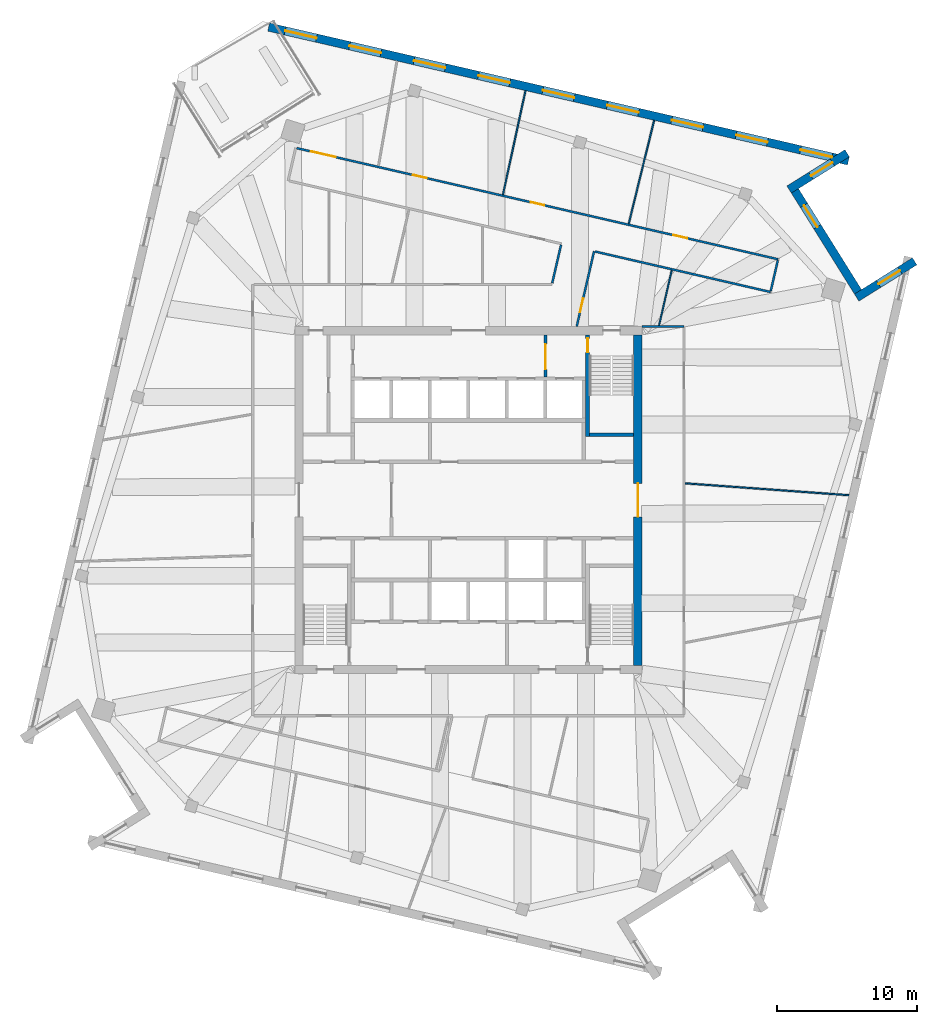
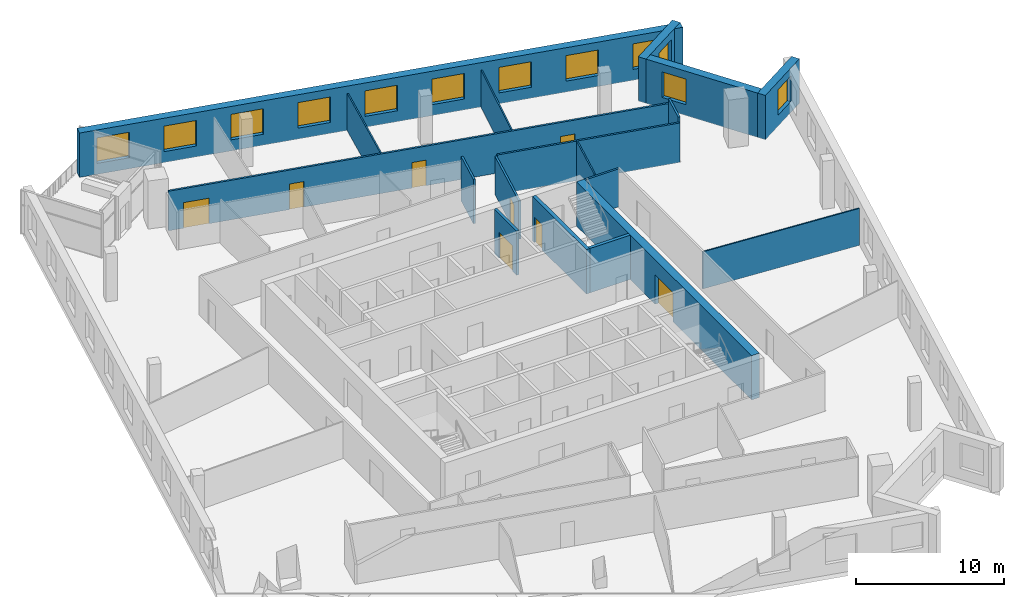
# One storey, part 10 of 14: 18 walls, 12 windows, 8 doors, 20 openings.
"""IFC4 building model written with IfcOpenShell, lengths in metres."""

from ifc_helpers import new_model, si_unit, direction, frame, frame_2d, origin, place, context, subcontext, project, spatial, rectangle, extrude, material, layer, layer_set, type_object, element, fill, save


model = new_model("IFC4")

# Units and contexts
model_context = context("Model", 3, precision=1e-05, world=origin(), true_north=direction((0.0, 1.0)))
body_context = subcontext(model_context, "Body", "Model", "MODEL_VIEW")
ifc_project = project(units=[si_unit("LENGTHUNIT", "METRE"), si_unit("AREAUNIT", "SQUARE_METRE"), si_unit("VOLUMEUNIT", "CUBIC_METRE"), si_unit("PLANEANGLEUNIT", "RADIAN"), si_unit("MASSUNIT", "GRAM", prefix="KILO")], contexts=[model_context])

# Site, building, storey
site_placement = place(None, origin())
site = spatial("IfcSite", under=ifc_project, at=site_placement, CompositionType="ELEMENT")
building_placement = place(site_placement, origin())
building = spatial("IfcBuilding", under=site, at=building_placement, Name="Dilmun Exchange Tower", CompositionType="ELEMENT")
storey_placement = place(building_placement, frame((0.0, 0.0, 336.5)))
storey = spatial("IfcBuildingStorey", under=building, at=storey_placement, Name="L80", CompositionType="ELEMENT", Elevation=336.5)

# Wall, opening, door
ifc_material_1 = material(Name="Concrete C40/50", Category="concrete")
ifc_layer_1 = layer(ifc_material_1, 0.199951171875)
ifc_layer_set_1 = layer_set([ifc_layer_1], Name="Concrete C40/50")
wall_type_1 = type_object("IfcWallType", Name="Core partition wall 200", PredefinedType="PARTITIONING", material=ifc_layer_set_1)
wall_1_placement = place(storey_placement, frame((5.5, 8.804931640625, 0.0), z_axis=(0.0, 0.0, 1.0), x_axis=(0.0, 1.0, 0.0)))
wall_1 = element("IfcWall", 1, at=wall_1_placement, inside=storey, type_object=wall_type_1, Name="L80 core partition wall 20", PredefinedType="PARTITIONING", context=body_context, shape_type="SweptSolid", body=[
    extrude(rectangle(XDim=2.989990234375, YDim=0.199951171875, at=frame_2d((1.4951171875, 0.0))), origin(), (0.0, 0.0, 1.0), 3.64990234375),
])
opening_1_placement = place(wall_1_placement, frame((0.532470703125, 0.0, 0.0)))
opening_1 = element("IfcOpeningElement", 2, at=opening_1_placement, cuts=wall_1, Name="Opening CD5", PredefinedType="OPENING", context=body_context, shape_type="SweptSolid", body=[
    extrude(rectangle(XDim=1.800048828125, YDim=2.10009765625, at=frame_2d((0.89990234375, 1.050048828125))), frame((0.0, 0.10986328125, 0.0), z_axis=(0.0, -1.0, 0.0), x_axis=(1.0, 0.0, 0.0)), (0.0, 0.0, 1.0), 0.219970703125),
])
ifc_material_2 = material(Name="Fire-rated steel door set", Category="steel")
door_type_1 = type_object("IfcDoorType", Name="Stair exit door 1800x2100", OperationType="SINGLE_SWING_LEFT", PredefinedType="DOOR", material=ifc_material_2)
door_1_placement = place(opening_1_placement, origin())
door_1 = element("IfcDoor", 3, at=door_1_placement, inside=storey, type_object=door_type_1, Name="L80 door Lift lobby east", OperationType="SINGLE_SWING_LEFT", OverallHeight=2.10009765625, OverallWidth=1.800048828125, PredefinedType="DOOR", context=body_context, shape_type="SweptSolid", body=[
    extrude(rectangle(XDim=1.800048828125, YDim=2.10009765625, at=frame_2d((0.89990234375, 1.050048828125))), frame((0.0, 0.02490234375, 0.0), z_axis=(0.0, -1.0, 0.0), x_axis=(1.0, 0.0, 0.0)), (0.0, 0.0, 1.0), 0.050048828125),
])
fill(opening_1, door_1)

ifc_material_3 = material(Name="Concrete C50/60", Category="concrete")
ifc_layer_2 = layer(ifc_material_3, 0.60009765625)
ifc_layer_set_2 = layer_set([ifc_layer_2], Name="Concrete C50/60")
wall_type_2 = type_object("IfcWallType", Name="Core shear wall 600 Concrete C50/60", PredefinedType="SHEAR", material=ifc_layer_set_2)
wall_2_placement = place(storey_placement, frame((12.10009765625, -11.800048828125, 0.0), z_axis=(0.0, 0.0, 1.0), x_axis=(0.0, 1.0, 0.0)))
wall_2 = element("IfcWall", 4, at=wall_2_placement, inside=storey, type_object=wall_type_2, Name="L80 core shear wall E", PredefinedType="SHEAR", context=body_context, shape_type="SweptSolid", body=[
    extrude(rectangle(XDim=23.60009765625, YDim=0.60009765625, at=frame_2d((11.800048828125, 0.0))), origin(), (0.0, 0.0, 1.0), 3.64990234375),
])
opening_2_placement = place(wall_2_placement, frame((10.60009765625, 0.0, 0.0)))
opening_2 = element("IfcOpeningElement", 5, at=opening_2_placement, cuts=wall_2, Name="Opening CD1", PredefinedType="OPENING", context=body_context, shape_type="SweptSolid", body=[
    extrude(rectangle(XDim=2.39990234375, YDim=2.39990234375, at=frame_2d((1.199951171875, 1.199951171875))), frame((0.0, 0.31005859375, 0.0), z_axis=(0.0, -1.0, 0.0), x_axis=(1.0, 0.0, 0.0)), (0.0, 0.0, 1.0), 0.6201171875),
])
door_type_2 = type_object("IfcDoorType", Name="Core lobby door 2400x2400", OperationType="DOUBLE_DOOR_DOUBLE_SWING", PredefinedType="DOOR", material=ifc_material_2)
door_2_placement = place(opening_2_placement, origin())
door_2 = element("IfcDoor", 6, at=door_2_placement, inside=storey, type_object=door_type_2, Name="L80 door Central lift lobby", OperationType="SINGLE_SWING_LEFT", OverallHeight=2.39990234375, OverallWidth=2.39990234375, PredefinedType="DOOR", context=body_context, shape_type="SweptSolid", body=[
    extrude(rectangle(XDim=2.39990234375, YDim=2.39990234375, at=frame_2d((1.199951171875, 1.199951171875))), frame((0.0, 0.02490234375, 0.0), z_axis=(0.0, -1.0, 0.0), x_axis=(1.0, 0.0, 0.0)), (0.0, 0.0, 1.0), 0.050048828125),
])
fill(opening_2, door_2)

# Wall, openings, doors
ifc_material_4 = material(Name="Corridor wall 150")
ifc_layer_3 = layer(ifc_material_4, 0.14990234375)
ifc_layer_set_3 = layer_set([ifc_layer_3], Name="Corridor wall 150")
wall_type_3 = type_object("IfcWallType", Name="Corridor wall 150", PredefinedType="PARTITIONING", material=ifc_layer_set_3)
wall_3_placement = place(storey_placement, frame((-12.261962890625, 25.129150390625, 0.0), z_axis=(0.0, 0.0, 1.0), x_axis=(0.974366228137, -0.224967672045, 0.0)))
wall_3 = element("IfcWall", 7, at=wall_3_placement, inside=storey, type_object=wall_type_3, Name="Corridor wall", PredefinedType="PARTITIONING", context=body_context, shape_type="SweptSolid", body=[
    extrude(rectangle(XDim=35.2763671875, YDim=0.14990234375, at=frame_2d((17.63818359375, 0.0))), origin(), (0.0, 0.0, 1.0), 3.25),
])
opening_3_placement = place(wall_3_placement, frame((1.050048828125, 0.0, 0.0)))
opening_3 = element("IfcOpeningElement", 8, at=opening_3_placement, cuts=wall_3, Name="Opening TF79-D04", PredefinedType="OPENING", context=body_context, shape_type="SweptSolid", body=[
    extrude(rectangle(XDim=1.800048828125, YDim=2.10009765625, at=frame_2d((0.89990234375, 1.050048828125))), frame((0.0, 0.0849609375, 0.0), z_axis=(0.0, -1.0, 0.0), x_axis=(1.0, 0.0, 0.0)), (0.0, 0.0, 1.0), 0.169921875),
])
opening_4_placement = place(wall_3_placement, frame((8.524169921875, 0.0, 0.0)))
opening_4 = element("IfcOpeningElement", 9, at=opening_4_placement, cuts=wall_3, Name="Opening TF79-D10", PredefinedType="OPENING", context=body_context, shape_type="SweptSolid", body=[
    extrude(rectangle(XDim=1.0, YDim=2.10009765625, at=frame_2d((0.5, 1.050048828125))), frame((0.0, 0.0849609375, 0.0), z_axis=(0.0, -1.0, 0.0), x_axis=(1.0, 0.0, 0.0)), (0.0, 0.0, 1.0), 0.169921875),
])
opening_5_placement = place(wall_3_placement, frame((17.144287109375, 0.0, 0.0)))
opening_5 = element("IfcOpeningElement", 10, at=opening_5_placement, cuts=wall_3, Name="Opening TF79-D13", PredefinedType="OPENING", context=body_context, shape_type="SweptSolid", body=[
    extrude(rectangle(XDim=1.0, YDim=2.10009765625, at=frame_2d((0.5, 1.050048828125))), frame((0.0, 0.0849609375, 0.0), z_axis=(0.0, -1.0, 0.0), x_axis=(1.0, 0.0, 0.0)), (0.0, 0.0, 1.0), 0.169921875),
])
opening_6_placement = place(wall_3_placement, frame((27.612548828125, 0.0, 0.0)))
opening_6 = element("IfcOpeningElement", 11, at=opening_6_placement, cuts=wall_3, Name="Opening TF79-D19", PredefinedType="OPENING", context=body_context, shape_type="SweptSolid", body=[
    extrude(rectangle(XDim=1.0, YDim=2.10009765625, at=frame_2d((0.5, 1.050048828125))), frame((0.0, 0.0849609375, 0.0), z_axis=(0.0, -1.0, 0.0), x_axis=(1.0, 0.0, 0.0)), (0.0, 0.0, 1.0), 0.169921875),
])
ifc_material_5 = material(Name="Fire door 1000 x 2100")
door_type_3 = type_object("IfcDoorType", Name="Fire door 1000 x 2100", OperationType="NOTDEFINED", PredefinedType="DOOR", material=ifc_material_5)
door_3_placement = place(opening_4_placement, origin())
door_3 = element("IfcDoor", 12, at=door_3_placement, inside=storey, type_object=door_type_3, Name="Door TF79-D10", OperationType="SINGLE_SWING_RIGHT", OverallHeight=2.10009765625, OverallWidth=1.0, PredefinedType="DOOR", context=body_context, shape_type="SweptSolid", body=[
    extrude(rectangle(XDim=1.0, YDim=2.10009765625, at=frame_2d((0.5, 1.050048828125))), frame((0.0, 0.02490234375, 0.0), z_axis=(0.0, -1.0, 0.0), x_axis=(1.0, 0.0, 0.0)), (0.0, 0.0, 1.0), 0.050048828125),
])
fill(opening_4, door_3)
door_4_placement = place(opening_5_placement, origin())
door_4 = element("IfcDoor", 13, at=door_4_placement, inside=storey, type_object=door_type_3, Name="Door TF79-D13", OperationType="SINGLE_SWING_LEFT", OverallHeight=2.10009765625, OverallWidth=1.0, PredefinedType="DOOR", context=body_context, shape_type="SweptSolid", body=[
    extrude(rectangle(XDim=1.0, YDim=2.10009765625, at=frame_2d((0.5, 1.050048828125))), frame((0.0, 0.02490234375, 0.0), z_axis=(0.0, -1.0, 0.0), x_axis=(1.0, 0.0, 0.0)), (0.0, 0.0, 1.0), 0.050048828125),
])
fill(opening_5, door_4)
door_5_placement = place(opening_6_placement, origin())
door_5 = element("IfcDoor", 14, at=door_5_placement, inside=storey, type_object=door_type_3, Name="Door TF79-D19", OperationType="SINGLE_SWING_LEFT", OverallHeight=2.10009765625, OverallWidth=1.0, PredefinedType="DOOR", context=body_context, shape_type="SweptSolid", body=[
    extrude(rectangle(XDim=1.0, YDim=2.10009765625, at=frame_2d((0.5, 1.050048828125))), frame((0.0, 0.02490234375, 0.0), z_axis=(0.0, -1.0, 0.0), x_axis=(1.0, 0.0, 0.0)), (0.0, 0.0, 1.0), 0.050048828125),
])
fill(opening_6, door_5)
ifc_material_6 = material(Name="Fire door pair 1800 x 2100")
door_type_4 = type_object("IfcDoorType", Name="Fire door pair 1800 x 2100", OperationType="NOTDEFINED", PredefinedType="DOOR", material=ifc_material_6)
door_6_placement = place(opening_3_placement, origin())
door_6 = element("IfcDoor", 15, at=door_6_placement, inside=storey, type_object=door_type_4, Name="Door TF79-D04", OperationType="DOUBLE_DOOR_SINGLE_SWING", OverallHeight=2.10009765625, OverallWidth=1.800048828125, PredefinedType="DOOR", context=body_context, shape_type="SweptSolid", body=[
    extrude(rectangle(XDim=1.800048828125, YDim=2.10009765625, at=frame_2d((0.89990234375, 1.050048828125))), frame((0.0, 0.02490234375, 0.0), z_axis=(0.0, -1.0, 0.0), x_axis=(1.0, 0.0, 0.0)), (0.0, 0.0, 1.0), 0.050048828125),
])
fill(opening_3, door_6)

# Wall
wall_4_placement = place(storey_placement, frame((5.981201171875, 15.491943359375, 0.0), z_axis=(0.0, 0.0, 1.0), x_axis=(0.224777043794, 0.97441022192, 0.0)))
element("IfcWall", 16, at=wall_4_placement, inside=storey, type_object=wall_type_3, Name="Corridor wall", PredefinedType="PARTITIONING", context=body_context, shape_type="SweptSolid", body=[
    extrude(rectangle(XDim=2.81103515625, YDim=0.14990234375, at=frame_2d((1.405517578125, 0.0))), origin(), (0.0, 0.0, 1.0), 3.64990234375),
])

# Wall, opening, door
wall_5_placement = place(storey_placement, frame((7.73095703125, 12.39990234375, 0.0), z_axis=(0.0, 0.0, 1.0), x_axis=(0.224891896022, 0.974383720668, 0.0)))
wall_5 = element("IfcWall", 17, at=wall_5_placement, inside=storey, type_object=wall_type_3, Name="Corridor wall", PredefinedType="PARTITIONING", context=body_context, shape_type="SweptSolid", body=[
    extrude(rectangle(XDim=5.505126953125, YDim=0.14990234375, at=frame_2d((2.75244140625, 0.0))), origin(), (0.0, 0.0, 1.0), 3.1298828125),
])
opening_7_placement = place(wall_5_placement, frame((1.050048828125, 0.0, 0.0)))
opening_7 = element("IfcOpeningElement", 18, at=opening_7_placement, cuts=wall_5, Name="Opening TF79-D14", PredefinedType="OPENING", context=body_context, shape_type="SweptSolid", body=[
    extrude(rectangle(XDim=1.0, YDim=2.10009765625, at=frame_2d((0.5, 1.050048828125))), frame((0.0, 0.0849609375, 0.0), z_axis=(0.0, -1.0, 0.0), x_axis=(1.0, 0.0, 0.0)), (0.0, 0.0, 1.0), 0.169921875),
])
door_7_placement = place(opening_7_placement, frame((1.0, 0.0, 0.0), z_axis=(0.0, 0.0, 1.0), x_axis=(-1.0, 0.0, 0.0)))
door_7 = element("IfcDoor", 19, at=door_7_placement, inside=storey, type_object=door_type_3, Name="Door TF79-D14", OperationType="SINGLE_SWING_RIGHT", OverallHeight=2.10009765625, OverallWidth=1.0, PredefinedType="DOOR", context=body_context, shape_type="SweptSolid", body=[
    extrude(rectangle(XDim=1.0, YDim=2.10009765625, at=frame_2d((0.5, 1.050048828125))), frame((0.0, 0.02490234375, 0.0), z_axis=(0.0, -1.0, 0.0), x_axis=(1.0, 0.0, 0.0)), (0.0, 0.0, 1.0), 0.050048828125),
])
fill(opening_7, door_7)

# Walls
wall_6_placement = place(storey_placement, frame((9.0419921875, 17.7470703125, 0.0), z_axis=(0.0, 0.0, 1.0), x_axis=(0.974374231644, -0.224933004931, 0.0)))
element("IfcWall", 20, at=wall_6_placement, inside=storey, type_object=wall_type_3, Name="Corridor wall", PredefinedType="PARTITIONING", context=body_context, shape_type="SweptSolid", body=[
    extrude(rectangle(XDim=12.857666015625, YDim=0.14990234375, at=frame_2d((6.4287109375, 0.0))), origin(), (0.0, 0.0, 1.0), 3.25),
])
wall_7_placement = place(storey_placement, frame((12.39990234375, 12.39990234375, 0.0), z_axis=(0.0, 0.0, 1.0), x_axis=(1.0, 0.0, 0.0)))
element("IfcWall", 21, at=wall_7_placement, inside=storey, type_object=wall_type_3, Name="Corridor wall", PredefinedType="PARTITIONING", context=body_context, shape_type="SweptSolid", body=[
    extrude(rectangle(XDim=3.0, YDim=0.14990234375, at=frame_2d((1.5, 0.0))), origin(), (0.0, 0.0, 1.0), 3.1298828125),
])
wall_8_placement = place(storey_placement, frame((21.5869140625, 14.927978515625, 0.0), z_axis=(0.0, 0.0, 1.0), x_axis=(0.224978397981, 0.974363751605, 0.0)))
element("IfcWall", 22, at=wall_8_placement, inside=storey, type_object=wall_type_3, Name="Corridor wall", PredefinedType="PARTITIONING", context=body_context, shape_type="SweptSolid", body=[
    extrude(rectangle(XDim=2.24951171875, YDim=0.14990234375, at=frame_2d((1.124755859375, 0.0))), origin(), (0.0, 0.0, 1.0), 3.64990234375),
])
ifc_material_7 = material(Name="Partition 100")
ifc_layer_4 = layer(ifc_material_7, 0.10009765625)
ifc_layer_set_4 = layer_set([ifc_layer_4], Name="Partition 100")
wall_type_4 = type_object("IfcWallType", Name="Partition 100", PredefinedType="PARTITIONING", material=ifc_layer_set_4)
wall_9_placement = place(storey_placement, frame((2.4619140625, 21.806884765625, 0.0), z_axis=(0.0, 0.0, 1.0), x_axis=(0.211973327183, 0.977275451735, 0.0)))
element("IfcWall", 23, at=wall_9_placement, inside=storey, type_object=wall_type_4, Name="Partition", PredefinedType="PARTITIONING", context=body_context, shape_type="SweptSolid", body=[
    extrude(rectangle(XDim=7.596923828125, YDim=0.10009765625, at=frame_2d((3.79833984375, 0.0))), origin(), (0.0, 0.0, 1.0), 3.050048828125),
])
wall_10_placement = place(storey_placement, frame((11.445068359375, 19.7333984375, 0.0), z_axis=(0.0, 0.0, 1.0), x_axis=(0.238465178955, 0.971151048203, 0.0)))
element("IfcWall", 24, at=wall_10_placement, inside=storey, type_object=wall_type_4, Name="Partition", PredefinedType="PARTITIONING", context=body_context, shape_type="SweptSolid", body=[
    extrude(rectangle(XDim=7.5966796875, YDim=0.10009765625, at=frame_2d((3.79833984375, 0.0))), origin(), (0.0, 0.0, 1.0), 3.050048828125),
])
wall_11_placement = place(storey_placement, frame((13.61181640625, 12.486083984375, 0.0), z_axis=(0.0, 0.0, 1.0), x_axis=(0.224788589714, 0.974407558435, 0.0)))
element("IfcWall", 25, at=wall_11_placement, inside=storey, type_object=wall_type_4, Name="Partition", PredefinedType="PARTITIONING", context=body_context, shape_type="SweptSolid", body=[
    extrude(rectangle(XDim=4.02294921875, YDim=0.10009765625, at=frame_2d((2.011474609375, 0.0))), origin(), (0.0, 0.0, 1.0), 3.25),
])
wall_12_placement = place(storey_placement, frame((15.478515625, 1.1943359375, 0.0), z_axis=(0.0, 0.0, 1.0), x_axis=(0.997373972888, -0.07242346447, 0.0)))
element("IfcWall", 26, at=wall_12_placement, inside=storey, type_object=wall_type_4, Name="Partition", PredefinedType="PARTITIONING", context=body_context, shape_type="SweptSolid", body=[
    extrude(rectangle(XDim=11.724365234375, YDim=0.10009765625, at=frame_2d((5.8623046875, 0.0))), origin(), (0.0, 0.0, 1.0), 3.050048828125),
])

# Wall, opening, window
ifc_material_8 = material(Name="Precast concrete C50/60", Category="concrete")
ifc_layer_5 = layer(ifc_material_8, 0.60009765625)
ifc_layer_set_5 = layer_set([ifc_layer_5], Name="Precast concrete C50/60")
wall_type_5 = type_object("IfcWallType", Name="Precast stone-clad wall 600", PredefinedType="STANDARD", material=ifc_layer_set_5)
wall_13_placement = place(storey_placement, frame((31.863525390625, 17.046630859375, 0.0), z_axis=(0.0, 0.0, 1.0), x_axis=(-0.848062867364, -0.529895624626, 0.0)))
wall_13 = element("IfcWall", 27, at=wall_13_placement, inside=storey, type_object=wall_type_5, Name="Facade wall L80-12", PredefinedType="STANDARD", context=body_context, shape_type="SweptSolid", body=[
    extrude(rectangle(XDim=4.885498046875, YDim=0.60009765625, at=frame_2d((2.44287109375, 0.0))), origin(), (0.0, 0.0, 1.0), 3.64990234375),
])
opening_8_placement = place(wall_13_placement, frame((1.242919921875, 0.0, 0.89990234375)))
opening_8 = element("IfcOpeningElement", 28, at=opening_8_placement, cuts=wall_13, Name="Opening W180-210", PredefinedType="OPENING", context=body_context, shape_type="SweptSolid", body=[
    extrude(rectangle(XDim=1.800048828125, YDim=2.10009765625, at=frame_2d((0.89990234375, 1.050048828125))), frame((0.0, 0.31005859375, 0.0), z_axis=(0.0, -1.0, 0.0), x_axis=(1.0, 0.0, 0.0)), (0.0, 0.0, 1.0), 0.6201171875),
])
ifc_material_9 = material(Name="Clear low-emissivity glass in aluminium frame", Category="aluminium")
window_type_1 = type_object("IfcWindowType", Name="Punched window 1800 x 2100", PartitioningType="DOUBLE_PANEL_VERTICAL", PredefinedType="WINDOW", material=ifc_material_9)
window_1_placement = place(opening_8_placement, origin())
window_1 = element("IfcWindow", 29, at=window_1_placement, inside=storey, type_object=window_type_1, Name="Window 13.1", OverallHeight=2.10009765625, OverallWidth=1.800048828125, PartitioningType="SINGLE_PANEL", PredefinedType="WINDOW", context=body_context, shape_type="SweptSolid", body=[
    extrude(rectangle(XDim=1.800048828125, YDim=2.10009765625, at=frame_2d((0.89990234375, 1.050048828125))), frame((0.0, 0.030029296875, 0.0), z_axis=(0.0, -1.0, 0.0), x_axis=(1.0, 0.0, 0.0)), (0.0, 0.0, 1.0), 0.06005859375),
])
fill(opening_8, window_1)

wall_14_placement = place(storey_placement, frame((27.815673828125, 14.87109375, 0.0), z_axis=(0.0, 0.0, 1.0), x_axis=(-0.529921485123, 0.848046708387, 0.0)))
wall_14 = element("IfcWall", 30, at=wall_14_placement, inside=storey, type_object=wall_type_5, Name="Facade wall L80-13", PredefinedType="STANDARD", context=body_context, shape_type="SweptSolid", body=[
    extrude(rectangle(XDim=8.5, YDim=0.60009765625, at=frame_2d((4.25, 0.0))), origin(), (0.0, 0.0, 1.0), 3.64990234375),
])
opening_9_placement = place(wall_14_placement, frame((5.47509765625, 0.0, 0.89990234375)))
opening_9 = element("IfcOpeningElement", 31, at=opening_9_placement, cuts=wall_14, Name="Opening W180-210", PredefinedType="OPENING", context=body_context, shape_type="SweptSolid", body=[
    extrude(rectangle(XDim=1.800048828125, YDim=2.10009765625, at=frame_2d((0.89990234375, 1.050048828125))), frame((0.0, 0.31005859375, 0.0), z_axis=(0.0, -1.0, 0.0), x_axis=(1.0, 0.0, 0.0)), (0.0, 0.0, 1.0), 0.6201171875),
])
window_2_placement = place(opening_9_placement, origin())
window_2 = element("IfcWindow", 32, at=window_2_placement, inside=storey, type_object=window_type_1, Name="Window 14.2", OverallHeight=2.10009765625, OverallWidth=1.800048828125, PartitioningType="SINGLE_PANEL", PredefinedType="WINDOW", context=body_context, shape_type="SweptSolid", body=[
    extrude(rectangle(XDim=1.800048828125, YDim=2.10009765625, at=frame_2d((0.89990234375, 1.050048828125))), frame((0.0, 0.030029296875, 0.0), z_axis=(0.0, -1.0, 0.0), x_axis=(1.0, 0.0, 0.0)), (0.0, 0.0, 1.0), 0.06005859375),
])
fill(opening_9, window_2)

wall_15_placement = place(storey_placement, frame((22.89794921875, 22.1748046875, 0.0), z_axis=(0.0, 0.0, 1.0), x_axis=(0.848040410856, 0.529931563086, 0.0)))
wall_15 = element("IfcWall", 33, at=wall_15_placement, inside=storey, type_object=wall_type_5, Name="Facade wall L80-14", PredefinedType="STANDARD", context=body_context, shape_type="SweptSolid", body=[
    extrude(rectangle(XDim=4.8857421875, YDim=0.60009765625, at=frame_2d((2.44287109375, 0.0))), origin(), (0.0, 0.0, 1.0), 3.64990234375),
])
opening_10_placement = place(wall_15_placement, frame((1.8427734375, 0.0, 0.89990234375)))
opening_10 = element("IfcOpeningElement", 34, at=opening_10_placement, cuts=wall_15, Name="Opening W180-210", PredefinedType="OPENING", context=body_context, shape_type="SweptSolid", body=[
    extrude(rectangle(XDim=1.800048828125, YDim=2.10009765625, at=frame_2d((0.89990234375, 1.050048828125))), frame((0.0, 0.31005859375, 0.0), z_axis=(0.0, -1.0, 0.0), x_axis=(1.0, 0.0, 0.0)), (0.0, 0.0, 1.0), 0.6201171875),
])
window_3_placement = place(opening_10_placement, origin())
window_3 = element("IfcWindow", 35, at=window_3_placement, inside=storey, type_object=window_type_1, Name="Window 15.1", OverallHeight=2.10009765625, OverallWidth=1.800048828125, PartitioningType="SINGLE_PANEL", PredefinedType="WINDOW", context=body_context, shape_type="SweptSolid", body=[
    extrude(rectangle(XDim=1.800048828125, YDim=2.10009765625, at=frame_2d((0.89990234375, 1.050048828125))), frame((0.0, 0.030029296875, 0.0), z_axis=(0.0, -1.0, 0.0), x_axis=(1.0, 0.0, 0.0)), (0.0, 0.0, 1.0), 0.06005859375),
])
fill(opening_10, window_3)

# Wall, openings, windows
wall_16_placement = place(storey_placement, frame((27.1328125, 24.21728515625, 0.0), z_axis=(0.0, 0.0, 1.0), x_axis=(-0.974371242637, 0.224945952446, 0.0)))
wall_16 = element("IfcWall", 36, at=wall_16_placement, inside=storey, type_object=wall_type_5, Name="Facade wall L80-15", PredefinedType="STANDARD", context=body_context, shape_type="SweptSolid", body=[
    extrude(rectangle(XDim=42.489501953125, YDim=0.60009765625, at=frame_2d((21.24462890625, 0.0))), origin(), (0.0, 0.0, 1.0), 3.64990234375),
])
opening_11_placement = place(wall_16_placement, frame((1.21044921875, 0.0, 0.89990234375)))
opening_11 = element("IfcOpeningElement", 37, at=opening_11_placement, cuts=wall_16, Name="Opening W230-210", PredefinedType="OPENING", context=body_context, shape_type="SweptSolid", body=[
    extrude(rectangle(XDim=2.300048828125, YDim=2.10009765625, at=frame_2d((1.14990234375, 1.050048828125))), frame((0.0, 0.31005859375, 0.0), z_axis=(0.0, -1.0, 0.0), x_axis=(1.0, 0.0, 0.0)), (0.0, 0.0, 1.0), 0.6201171875),
])
opening_12_placement = place(wall_16_placement, frame((5.931640625, 0.0, 0.89990234375)))
opening_12 = element("IfcOpeningElement", 38, at=opening_12_placement, cuts=wall_16, Name="Opening W230-210", PredefinedType="OPENING", context=body_context, shape_type="SweptSolid", body=[
    extrude(rectangle(XDim=2.300048828125, YDim=2.10009765625, at=frame_2d((1.14990234375, 1.050048828125))), frame((0.0, 0.31005859375, 0.0), z_axis=(0.0, -1.0, 0.0), x_axis=(1.0, 0.0, 0.0)), (0.0, 0.0, 1.0), 0.6201171875),
])
opening_13_placement = place(wall_16_placement, frame((10.652587890625, 0.0, 0.89990234375)))
opening_13 = element("IfcOpeningElement", 39, at=opening_13_placement, cuts=wall_16, Name="Opening W230-210", PredefinedType="OPENING", context=body_context, shape_type="SweptSolid", body=[
    extrude(rectangle(XDim=2.300048828125, YDim=2.10009765625, at=frame_2d((1.14990234375, 1.050048828125))), frame((0.0, 0.31005859375, 0.0), z_axis=(0.0, -1.0, 0.0), x_axis=(1.0, 0.0, 0.0)), (0.0, 0.0, 1.0), 0.6201171875),
])
opening_14_placement = place(wall_16_placement, frame((15.373779296875, 0.0, 0.89990234375)))
opening_14 = element("IfcOpeningElement", 40, at=opening_14_placement, cuts=wall_16, Name="Opening W230-210", PredefinedType="OPENING", context=body_context, shape_type="SweptSolid", body=[
    extrude(rectangle(XDim=2.300048828125, YDim=2.10009765625, at=frame_2d((1.14990234375, 1.050048828125))), frame((0.0, 0.31005859375, 0.0), z_axis=(0.0, -1.0, 0.0), x_axis=(1.0, 0.0, 0.0)), (0.0, 0.0, 1.0), 0.6201171875),
])
opening_15_placement = place(wall_16_placement, frame((20.0947265625, 0.0, 0.89990234375)))
opening_15 = element("IfcOpeningElement", 41, at=opening_15_placement, cuts=wall_16, Name="Opening W230-210", PredefinedType="OPENING", context=body_context, shape_type="SweptSolid", body=[
    extrude(rectangle(XDim=2.300048828125, YDim=2.10009765625, at=frame_2d((1.14990234375, 1.050048828125))), frame((0.0, 0.31005859375, 0.0), z_axis=(0.0, -1.0, 0.0), x_axis=(1.0, 0.0, 0.0)), (0.0, 0.0, 1.0), 0.6201171875),
])
opening_16_placement = place(wall_16_placement, frame((24.81591796875, 0.0, 0.89990234375)))
opening_16 = element("IfcOpeningElement", 42, at=opening_16_placement, cuts=wall_16, Name="Opening W230-210", PredefinedType="OPENING", context=body_context, shape_type="SweptSolid", body=[
    extrude(rectangle(XDim=2.300048828125, YDim=2.10009765625, at=frame_2d((1.14990234375, 1.050048828125))), frame((0.0, 0.31005859375, 0.0), z_axis=(0.0, -1.0, 0.0), x_axis=(1.0, 0.0, 0.0)), (0.0, 0.0, 1.0), 0.6201171875),
])
opening_17_placement = place(wall_16_placement, frame((29.536865234375, 0.0, 0.89990234375)))
opening_17 = element("IfcOpeningElement", 43, at=opening_17_placement, cuts=wall_16, Name="Opening W230-210", PredefinedType="OPENING", context=body_context, shape_type="SweptSolid", body=[
    extrude(rectangle(XDim=2.300048828125, YDim=2.10009765625, at=frame_2d((1.14990234375, 1.050048828125))), frame((0.0, 0.31005859375, 0.0), z_axis=(0.0, -1.0, 0.0), x_axis=(1.0, 0.0, 0.0)), (0.0, 0.0, 1.0), 0.6201171875),
])
opening_18_placement = place(wall_16_placement, frame((34.258056640625, 0.0, 0.89990234375)))
opening_18 = element("IfcOpeningElement", 44, at=opening_18_placement, cuts=wall_16, Name="Opening W230-210", PredefinedType="OPENING", context=body_context, shape_type="SweptSolid", body=[
    extrude(rectangle(XDim=2.300048828125, YDim=2.10009765625, at=frame_2d((1.14990234375, 1.050048828125))), frame((0.0, 0.31005859375, 0.0), z_axis=(0.0, -1.0, 0.0), x_axis=(1.0, 0.0, 0.0)), (0.0, 0.0, 1.0), 0.6201171875),
])
opening_19_placement = place(wall_16_placement, frame((38.97900390625, 0.0, 0.89990234375)))
opening_19 = element("IfcOpeningElement", 45, at=opening_19_placement, cuts=wall_16, Name="Opening W230-210", PredefinedType="OPENING", context=body_context, shape_type="SweptSolid", body=[
    extrude(rectangle(XDim=2.300048828125, YDim=2.10009765625, at=frame_2d((1.14990234375, 1.050048828125))), frame((0.0, 0.31005859375, 0.0), z_axis=(0.0, -1.0, 0.0), x_axis=(1.0, 0.0, 0.0)), (0.0, 0.0, 1.0), 0.6201171875),
])
window_type_2 = type_object("IfcWindowType", Name="Punched window 2300 x 2100", PartitioningType="DOUBLE_PANEL_VERTICAL", PredefinedType="WINDOW", material=ifc_material_9)
window_4_placement = place(opening_11_placement, origin())
window_4 = element("IfcWindow", 46, at=window_4_placement, inside=storey, type_object=window_type_2, Name="Window 16.1", OverallHeight=2.10009765625, OverallWidth=2.300048828125, PartitioningType="SINGLE_PANEL", PredefinedType="WINDOW", context=body_context, shape_type="SweptSolid", body=[
    extrude(rectangle(XDim=2.300048828125, YDim=2.10009765625, at=frame_2d((1.14990234375, 1.050048828125))), frame((0.0, 0.030029296875, 0.0), z_axis=(0.0, -1.0, 0.0), x_axis=(1.0, 0.0, 0.0)), (0.0, 0.0, 1.0), 0.06005859375),
])
fill(opening_11, window_4)
window_5_placement = place(opening_12_placement, origin())
window_5 = element("IfcWindow", 47, at=window_5_placement, inside=storey, type_object=window_type_2, Name="Window 16.2", OverallHeight=2.10009765625, OverallWidth=2.300048828125, PartitioningType="SINGLE_PANEL", PredefinedType="WINDOW", context=body_context, shape_type="SweptSolid", body=[
    extrude(rectangle(XDim=2.300048828125, YDim=2.10009765625, at=frame_2d((1.14990234375, 1.050048828125))), frame((0.0, 0.030029296875, 0.0), z_axis=(0.0, -1.0, 0.0), x_axis=(1.0, 0.0, 0.0)), (0.0, 0.0, 1.0), 0.06005859375),
])
fill(opening_12, window_5)
window_6_placement = place(opening_13_placement, origin())
window_6 = element("IfcWindow", 48, at=window_6_placement, inside=storey, type_object=window_type_2, Name="Window 16.3", OverallHeight=2.10009765625, OverallWidth=2.300048828125, PartitioningType="SINGLE_PANEL", PredefinedType="WINDOW", context=body_context, shape_type="SweptSolid", body=[
    extrude(rectangle(XDim=2.300048828125, YDim=2.10009765625, at=frame_2d((1.14990234375, 1.050048828125))), frame((0.0, 0.030029296875, 0.0), z_axis=(0.0, -1.0, 0.0), x_axis=(1.0, 0.0, 0.0)), (0.0, 0.0, 1.0), 0.06005859375),
])
fill(opening_13, window_6)
window_7_placement = place(opening_14_placement, origin())
window_7 = element("IfcWindow", 49, at=window_7_placement, inside=storey, type_object=window_type_2, Name="Window 16.4", OverallHeight=2.10009765625, OverallWidth=2.300048828125, PartitioningType="SINGLE_PANEL", PredefinedType="WINDOW", context=body_context, shape_type="SweptSolid", body=[
    extrude(rectangle(XDim=2.300048828125, YDim=2.10009765625, at=frame_2d((1.14990234375, 1.050048828125))), frame((0.0, 0.030029296875, 0.0), z_axis=(0.0, -1.0, 0.0), x_axis=(1.0, 0.0, 0.0)), (0.0, 0.0, 1.0), 0.06005859375),
])
fill(opening_14, window_7)
window_8_placement = place(opening_15_placement, origin())
window_8 = element("IfcWindow", 50, at=window_8_placement, inside=storey, type_object=window_type_2, Name="Window 16.5", OverallHeight=2.10009765625, OverallWidth=2.300048828125, PartitioningType="SINGLE_PANEL", PredefinedType="WINDOW", context=body_context, shape_type="SweptSolid", body=[
    extrude(rectangle(XDim=2.300048828125, YDim=2.10009765625, at=frame_2d((1.14990234375, 1.050048828125))), frame((0.0, 0.030029296875, 0.0), z_axis=(0.0, -1.0, 0.0), x_axis=(1.0, 0.0, 0.0)), (0.0, 0.0, 1.0), 0.06005859375),
])
fill(opening_15, window_8)
window_9_placement = place(opening_16_placement, origin())
window_9 = element("IfcWindow", 51, at=window_9_placement, inside=storey, type_object=window_type_2, Name="Window 16.6", OverallHeight=2.10009765625, OverallWidth=2.300048828125, PartitioningType="SINGLE_PANEL", PredefinedType="WINDOW", context=body_context, shape_type="SweptSolid", body=[
    extrude(rectangle(XDim=2.300048828125, YDim=2.10009765625, at=frame_2d((1.14990234375, 1.050048828125))), frame((0.0, 0.030029296875, 0.0), z_axis=(0.0, -1.0, 0.0), x_axis=(1.0, 0.0, 0.0)), (0.0, 0.0, 1.0), 0.06005859375),
])
fill(opening_16, window_9)
window_10_placement = place(opening_17_placement, origin())
window_10 = element("IfcWindow", 52, at=window_10_placement, inside=storey, type_object=window_type_2, Name="Window 16.7", OverallHeight=2.10009765625, OverallWidth=2.300048828125, PartitioningType="SINGLE_PANEL", PredefinedType="WINDOW", context=body_context, shape_type="SweptSolid", body=[
    extrude(rectangle(XDim=2.300048828125, YDim=2.10009765625, at=frame_2d((1.14990234375, 1.050048828125))), frame((0.0, 0.030029296875, 0.0), z_axis=(0.0, -1.0, 0.0), x_axis=(1.0, 0.0, 0.0)), (0.0, 0.0, 1.0), 0.06005859375),
])
fill(opening_17, window_10)
window_11_placement = place(opening_18_placement, origin())
window_11 = element("IfcWindow", 53, at=window_11_placement, inside=storey, type_object=window_type_2, Name="Window 16.8", OverallHeight=2.10009765625, OverallWidth=2.300048828125, PartitioningType="SINGLE_PANEL", PredefinedType="WINDOW", context=body_context, shape_type="SweptSolid", body=[
    extrude(rectangle(XDim=2.300048828125, YDim=2.10009765625, at=frame_2d((1.14990234375, 1.050048828125))), frame((0.0, 0.030029296875, 0.0), z_axis=(0.0, -1.0, 0.0), x_axis=(1.0, 0.0, 0.0)), (0.0, 0.0, 1.0), 0.06005859375),
])
fill(opening_18, window_11)
window_12_placement = place(opening_19_placement, origin())
window_12 = element("IfcWindow", 54, at=window_12_placement, inside=storey, type_object=window_type_2, Name="Window 16.9", OverallHeight=2.10009765625, OverallWidth=2.300048828125, PartitioningType="SINGLE_PANEL", PredefinedType="WINDOW", context=body_context, shape_type="SweptSolid", body=[
    extrude(rectangle(XDim=2.300048828125, YDim=2.10009765625, at=frame_2d((1.14990234375, 1.050048828125))), frame((0.0, 0.030029296875, 0.0), z_axis=(0.0, -1.0, 0.0), x_axis=(1.0, 0.0, 0.0)), (0.0, 0.0, 1.0), 0.06005859375),
])
fill(opening_19, window_12)

# Wall
ifc_layer_6 = layer(ifc_material_1, 0.25)
ifc_layer_set_6 = layer_set([ifc_layer_6], Name="Concrete C40/50")
wall_type_6 = type_object("IfcWallType", Name="Stair end wall 250", PredefinedType="SOLIDWALL", material=ifc_layer_set_6)
wall_17_placement = place(storey_placement, frame((8.64990234375, 4.675048828125, 0.0), z_axis=(0.0, 0.0, 1.0), x_axis=(1.0, 0.0, 0.0)))
element("IfcWall", 55, at=wall_17_placement, inside=storey, type_object=wall_type_6, Name="L80 ST1 far wall", PredefinedType="SOLIDWALL", context=body_context, shape_type="SweptSolid", body=[
    extrude(rectangle(XDim=3.150146484375, YDim=0.25, at=frame_2d((1.5751953125, 0.0))), origin(), (0.0, 0.0, 1.0), 3.64990234375),
])

# Wall, opening, door
ifc_layer_7 = layer(ifc_material_1, 0.27490234375)
ifc_layer_set_7 = layer_set([ifc_layer_7], Name="Concrete C40/50")
wall_type_7 = type_object("IfcWallType", Name="Stair wall 275", PredefinedType="SOLIDWALL", material=ifc_layer_set_7)
wall_18_placement = place(storey_placement, frame((8.512451171875, 4.550048828125, 0.0), z_axis=(0.0, 0.0, 1.0), x_axis=(0.0, 1.0, 0.0)))
wall_18 = element("IfcWall", 56, at=wall_18_placement, inside=storey, type_object=wall_type_7, Name="L80 ST1 wall to lift block", PredefinedType="SOLIDWALL", context=body_context, shape_type="SweptSolid", body=[
    extrude(rectangle(XDim=7.25, YDim=0.27490234375, at=frame_2d((3.625, 0.0))), origin(), (0.0, 0.0, 1.0), 3.64990234375),
])
opening_20_placement = place(wall_18_placement, frame((6.0, 0.0, 0.0)))
opening_20 = element("IfcOpeningElement", 57, at=opening_20_placement, cuts=wall_18, Name="Opening CD4", PredefinedType="OPENING", context=body_context, shape_type="SweptSolid", body=[
    extrude(rectangle(XDim=1.0, YDim=2.10009765625, at=frame_2d((0.5, 1.050048828125))), frame((0.0, 0.1474609375, 0.0), z_axis=(0.0, -1.0, 0.0), x_axis=(1.0, 0.0, 0.0)), (0.0, 0.0, 1.0), 0.294921875),
])
door_type_5 = type_object("IfcDoorType", Name="Core room door 1000x2100", OperationType="SINGLE_SWING_LEFT", PredefinedType="DOOR", material=ifc_material_2)
door_8_placement = place(opening_20_placement, origin())
door_8 = element("IfcDoor", 58, at=door_8_placement, inside=storey, type_object=door_type_5, Name="L80 door ST1 from lobby", OperationType="SINGLE_SWING_LEFT", OverallHeight=2.10009765625, OverallWidth=1.0, PredefinedType="DOOR", context=body_context, shape_type="SweptSolid", body=[
    extrude(rectangle(XDim=1.0, YDim=2.10009765625, at=frame_2d((0.5, 1.050048828125))), frame((0.0, 0.02490234375, 0.0), z_axis=(0.0, -1.0, 0.0), x_axis=(1.0, 0.0, 0.0)), (0.0, 0.0, 1.0), 0.050048828125),
])
fill(opening_20, door_8)

save(model, "model.ifc")
